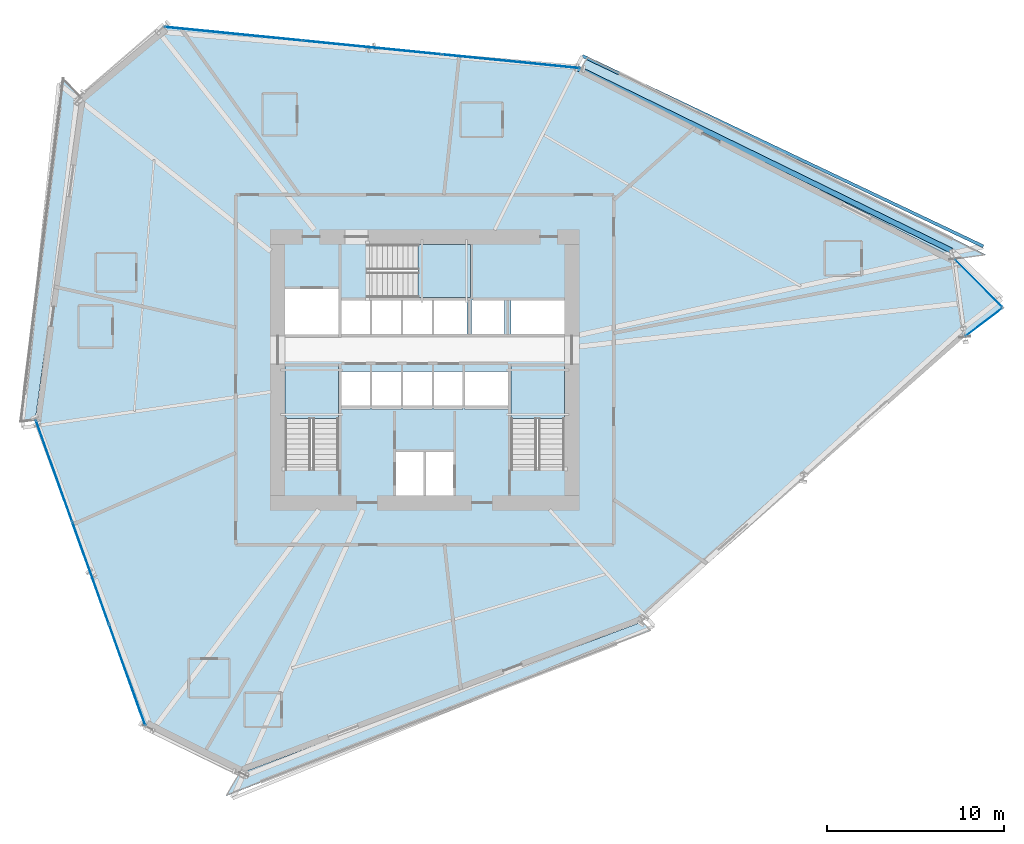
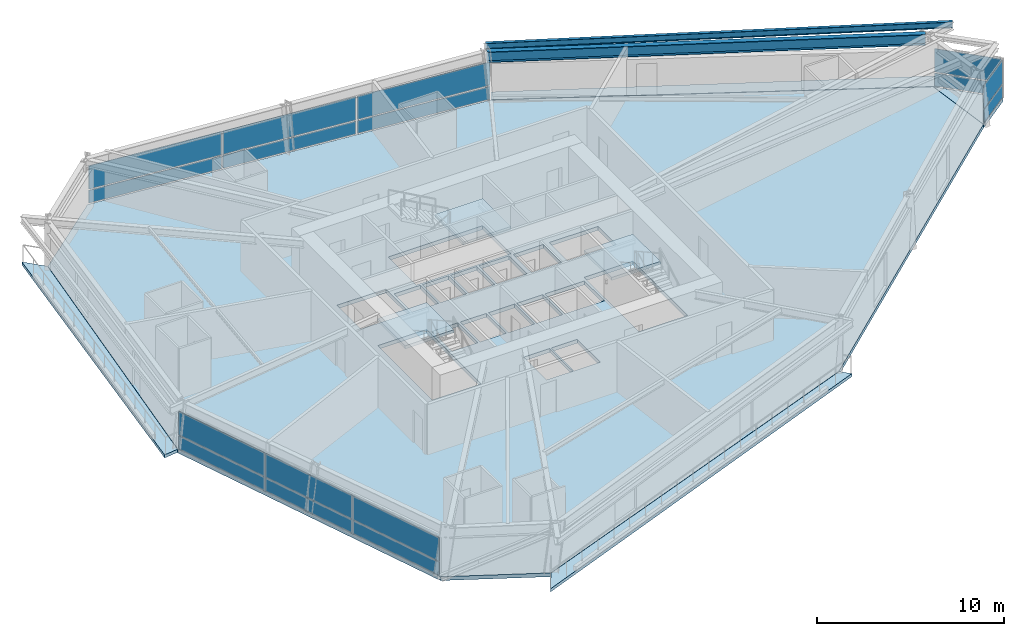
# One storey, part 13 of 24: 16 plates, 8 slabs, 2 beams, 7 elements without a shape of their own.
"""IFC4 building model written with IfcOpenShell, lengths in metres."""

import ifcopenshell
import ifcopenshell.guid

model = None  # the IFC model being written
_history = None  # IfcOwnerHistory: only IFC2X3 demands one
_inside = {}  # id of a spatial element -> (the spatial element, [elements in it])
_under = {}  # id of a project, library or spatial element -> (it, [spatial elements below it])
_declared = {}  # id of a project -> (the project, [libraries it declares])
_typed = {}  # id of a type object -> (the type object, [elements of that type])
_made_of = {}  # id of a material, layer set ... -> (it, [elements and type objects made of it])


def new_model(schema):
    """Start an empty IFC model of exactly this schema.

    Asked for "IFC4X3", IfcOpenShell would pick the latest addendum, in which some entities
    have other attributes; the version numbers below select the first issue.
    IFC2X3 requires an IfcOwnerHistory on every rooted entity: one is made here for all.
    """
    global model, _history
    if schema == "IFC4X3":
        model = ifcopenshell.file(schema_version=(4, 3, 0, 0))
    else:
        model = ifcopenshell.file(schema=schema)
    _inside.clear()
    _under.clear()
    _declared.clear()
    _typed.clear()
    _made_of.clear()
    _history = None
    if model.schema == "IFC2X3":
        org = make("IfcOrganization", Name="unknown")
        user = make(
            "IfcPersonAndOrganization",
            ThePerson=make("IfcPerson", FamilyName="unknown"),
            TheOrganization=org,
        )
        app = make(
            "IfcApplication",
            ApplicationDeveloper=org,
            Version="unknown",
            ApplicationFullName="unknown",
            ApplicationIdentifier="unknown",
        )
        _history = make(
            "IfcOwnerHistory",
            OwningUser=user,
            OwningApplication=app,
            ChangeAction="ADDED",
            CreationDate=0,
        )
    return model


def make(cls, **values):
    """One entity of the class cls with the attributes given. An attribute that is None is left unset."""
    return model.create_entity(
        cls, **{name: value for name, value in values.items() if value is not None}
    )


def rooted(cls, **values):
    """An entity with a GlobalId (a new one), such as an element, a storey or a relation."""
    return make(cls, GlobalId=ifcopenshell.guid.new(), OwnerHistory=_history, **values)


def si_unit(unit_type, name, prefix=None):
    """IfcSIUnit, for example si_unit("LENGTHUNIT", "METRE", prefix="MILLI")."""
    return make("IfcSIUnit", UnitType=unit_type, Prefix=prefix, Name=name)


def assignment(units):
    """IfcUnitAssignment: the units of a project."""
    return None if units is None else make("IfcUnitAssignment", Units=units)


def point(xyz):
    """IfcCartesianPoint."""
    return None if xyz is None else make("IfcCartesianPoint", Coordinates=xyz)


def direction(xyz):
    """IfcDirection."""
    return None if xyz is None else make("IfcDirection", DirectionRatios=xyz)


def frame(location, z_axis=None, x_axis=None):
    """IfcAxis2Placement3D, a coordinate frame: its origin and axes. An axis left out is left unset."""
    return make(
        "IfcAxis2Placement3D",
        Location=point(location),
        Axis=direction(z_axis),
        RefDirection=direction(x_axis),
    )


def frame_2d(location, x_axis=None):
    """IfcAxis2Placement2D, a coordinate frame in the plane: its origin and x axis."""
    return make(
        "IfcAxis2Placement2D", Location=point(location), RefDirection=direction(x_axis)
    )


def origin():
    """The frame at (0, 0, 0) with its axes left unset."""
    return frame((0.0, 0.0, 0.0))


def origin_2d():
    """The frame at (0, 0) in the plane with its x axis left unset."""
    return frame_2d((0.0, 0.0))


def place(relative_to, where):
    """IfcLocalPlacement: puts the frame where relative to a parent placement (None: the world)."""
    return make(
        "IfcLocalPlacement", PlacementRelTo=relative_to, RelativePlacement=where
    )


def context(
    kind, dimensions, precision=None, world=None, true_north=None, identifier=None
):
    """IfcGeometricRepresentationContext, for example the 3D "Model" context."""
    return make(
        "IfcGeometricRepresentationContext",
        ContextIdentifier=identifier,
        ContextType=kind,
        CoordinateSpaceDimension=dimensions,
        Precision=precision,
        WorldCoordinateSystem=world,
        TrueNorth=true_north,
    )


def subcontext(parent, identifier, kind, view, scale=None):
    """IfcGeometricRepresentationSubContext, for example "Body" below "Model"."""
    return make(
        "IfcGeometricRepresentationSubContext",
        ContextIdentifier=identifier,
        ContextType=kind,
        ParentContext=parent,
        TargetScale=scale,
        TargetView=view,
    )


def project(units=None, contexts=None):
    """IfcProject with its units and contexts."""
    return rooted(
        "IfcProject",
        Name="project",
        RepresentationContexts=contexts,
        UnitsInContext=assignment(units),
    )


def spatial(cls, under=None, at=None, **own):
    """A site, building, storey or space (cls), placed at a placement, below another one or the project."""
    s = rooted(cls, ObjectPlacement=at, **own)
    if under is not None:
        _under.setdefault(under.id(), (under, []))[1].append(s)
    return s


def polyline(points):
    """IfcPolyline through the points."""
    return make("IfcPolyline", Points=[point(p) for p in points])


def profile(cls, at=None, kind="AREA", **sizes):
    """A parametric profile (cls). Its sizes go by their IFC names, for example OverallWidth=200.0."""
    return make(cls, ProfileType=kind, Position=at, **sizes)


def rectangle(**sizes):
    """IfcRectangleProfileDef."""
    return profile("IfcRectangleProfileDef", **sizes)


def i_section(**sizes):
    """IfcIShapeProfileDef."""
    return profile("IfcIShapeProfileDef", **sizes)


def outline(outer, holes=None, kind="AREA"):
    """IfcArbitraryClosedProfileDef: a profile drawn as a closed curve; with holes, ...WithVoids."""
    if holes is None:
        return make("IfcArbitraryClosedProfileDef", ProfileType=kind, OuterCurve=outer)
    return make(
        "IfcArbitraryProfileDefWithVoids",
        ProfileType=kind,
        OuterCurve=outer,
        InnerCurves=holes,
    )


def extrude(swept, where, along, depth):
    """IfcExtrudedAreaSolid: the profile swept, set in the frame where, extruded along a direction by depth."""
    return make(
        "IfcExtrudedAreaSolid",
        SweptArea=swept,
        Position=where,
        ExtrudedDirection=direction(along),
        Depth=depth,
    )


def shape(context_of_items, identifier, shape_type, items):
    """IfcShapeRepresentation: the items that make up one representation, for example the "Body"."""
    return make(
        "IfcShapeRepresentation",
        ContextOfItems=context_of_items,
        RepresentationIdentifier=identifier,
        RepresentationType=shape_type,
        Items=items,
    )


def source(mapping_origin, context_of_items, identifier, shape_type, items):
    """IfcRepresentationMap: a shape defined once, which mapped items show again and again."""
    return make(
        "IfcRepresentationMap",
        MappingOrigin=mapping_origin,
        MappedRepresentation=shape(context_of_items, identifier, shape_type, items),
    )


def transform(
    local_origin,
    x_axis=None,
    y_axis=None,
    z_axis=None,
    scale=None,
    scale2=None,
    scale3=None,
    uniform=True,
):
    """IfcCartesianTransformationOperator3D, or its non-uniform kind. x_axis, y_axis, z_axis: its Axis1, 2, 3."""
    if uniform:
        return make(
            "IfcCartesianTransformationOperator3D",
            Axis1=direction(x_axis),
            Axis2=direction(y_axis),
            LocalOrigin=point(local_origin),
            Scale=scale,
            Axis3=direction(z_axis),
        )
    return make(
        "IfcCartesianTransformationOperator3DnonUniform",
        Axis1=direction(x_axis),
        Axis2=direction(y_axis),
        LocalOrigin=point(local_origin),
        Scale=scale,
        Axis3=direction(z_axis),
        Scale2=scale2,
        Scale3=scale3,
    )


def mapped(mapping_source, mapping_target):
    """IfcMappedItem: shows the shape of a source again, moved by a transform."""
    return make(
        "IfcMappedItem", MappingSource=mapping_source, MappingTarget=mapping_target
    )


def material(Name=None, Category=None):
    """IfcMaterial."""
    return make("IfcMaterial", Name=Name, Category=Category)


def layer(
    of_material, thickness, ventilated=None, Name=None, Category=None, Priority=None
):
    """IfcMaterialLayer: one layer of a wall or slab, of a material (None: an air gap)."""
    return make(
        "IfcMaterialLayer",
        Material=of_material,
        LayerThickness=thickness,
        IsVentilated=ventilated,
        Name=Name,
        Category=Category,
        Priority=Priority,
    )


def layer_set(layers, Name=None):
    """IfcMaterialLayerSet."""
    return make("IfcMaterialLayerSet", MaterialLayers=layers, LayerSetName=Name)


def material_profile(
    of_material, cross_section, Name=None, Category=None, Priority=None
):
    """IfcMaterialProfile: a cross section and its material."""
    return make(
        "IfcMaterialProfile",
        Name=Name,
        Material=of_material,
        Profile=cross_section,
        Priority=Priority,
        Category=Category,
    )


def profile_set(profiles, Name=None, composite=None):
    """IfcMaterialProfileSet."""
    return make(
        "IfcMaterialProfileSet",
        Name=Name,
        MaterialProfiles=profiles,
        CompositeProfile=composite,
    )


def made_of(thing, what):
    """Note that an element or type object is made of a material, layer set ...; save() writes the relation."""
    if what is not None:
        _made_of.setdefault(what.id(), (what, []))[1].append(thing)
    return thing


def type_object(cls, material=None, **own):
    """A type object (cls), such as IfcWallType, which elements share."""
    return made_of(rooted(cls, **own), material)


def element(
    cls,
    number,
    at=None,
    inside=None,
    cuts=None,
    type_object=None,
    material=None,
    context=None,
    identifier="Body",
    shape_type=None,
    held_by="IfcProductDefinitionShape",
    body=None,
    shapes=None,
    **own,
):
    """One element of the class cls, such as IfcWall. Its Tag is "e" and its number.

    at: its placement. inside: the storey or other place that contains it. cuts: it is an
    opening in that element (IfcRelVoidsElement). A single representation is given by context,
    identifier, shape_type and body (its items); several are given by shapes. held_by: the class
    of the entity that holds the representations. save() writes the other relations.
    """
    e = rooted(cls, Tag="e%d" % number, ObjectPlacement=at, **own)
    if body is not None:
        shapes = [shape(context, identifier, shape_type, body)]
    if shapes is not None:
        e.Representation = make(held_by, Representations=shapes)
    if inside is not None:
        _inside.setdefault(inside.id(), (inside, []))[1].append(e)
    if cuts is not None:
        rooted(
            "IfcRelVoidsElement", RelatingBuildingElement=cuts, RelatedOpeningElement=e
        )
    if type_object is not None:
        _typed.setdefault(type_object.id(), (type_object, []))[1].append(e)
    return made_of(e, material)


def aggregate(whole, parts):
    """IfcRelAggregates: a whole, such as a stair, and the parts it consists of."""
    return rooted("IfcRelAggregates", RelatingObject=whole, RelatedObjects=parts)


def save(model, path):
    """Write the relations noted so far, then the file.

    IfcRelAggregates (storeys below a building ...), IfcRelContainedInSpatialStructure (elements
    in a storey), IfcRelDefinesByType, IfcRelAssociatesMaterial and IfcRelDeclares: one each for
    every whole, place, type object, material and project.
    """
    for whole, parts in _under.values():
        aggregate(whole, parts)
    for where, things in _inside.values():
        rooted(
            "IfcRelContainedInSpatialStructure",
            RelatedElements=things,
            RelatingStructure=where,
        )
    for kind, things in _typed.values():
        rooted("IfcRelDefinesByType", RelatedObjects=things, RelatingType=kind)
    for what, things in _made_of.values():
        rooted("IfcRelAssociatesMaterial", RelatedObjects=things, RelatingMaterial=what)
    for by, libraries in _declared.values():
        rooted("IfcRelDeclares", RelatingContext=by, RelatedDefinitions=libraries)
    model.write(path)


model = new_model("IFC4")

# Units and contexts
model_context = context("Model", 3, precision=1e-05, world=origin(), true_north=direction((0.0, 1.0)))
body_context = subcontext(model_context, "Body", "Model", "MODEL_VIEW")
ifc_project = project(units=[si_unit("LENGTHUNIT", "METRE"), si_unit("AREAUNIT", "SQUARE_METRE"), si_unit("VOLUMEUNIT", "CUBIC_METRE"), si_unit("PLANEANGLEUNIT", "RADIAN"), si_unit("MASSUNIT", "GRAM", prefix="KILO")], contexts=[model_context])

# Site, building, storey
site_placement = place(None, origin())
site = spatial("IfcSite", under=ifc_project, at=site_placement, CompositionType="ELEMENT")
building_placement = place(site_placement, origin())
building = spatial("IfcBuilding", under=site, at=building_placement, Name="Olszyna Solenne Hotel", CompositionType="ELEMENT")
storey_placement = place(building_placement, frame((0.0, 0.0, 64.800048828125)))
storey = spatial("IfcBuildingStorey", under=building, at=storey_placement, Name="L16", CompositionType="ELEMENT", Elevation=64.800048828125)

# Beams
ifc_material_1 = material(Name="Steel S355J2", Category="steel")
ifc_material_profile_1 = material_profile(ifc_material_1, i_section(OverallWidth=0.300048828125, OverallDepth=0.699951171875, WebThickness=0.01708984375, FlangeThickness=0.031982421875, at=origin_2d()), Name="HEB 700", Category="load-bearing")
ifc_profile_set_1 = profile_set([ifc_material_profile_1], Name="Steel S355J2")
beam_type_1 = type_object("IfcBeamType", Name="BM-S1", PredefinedType="BEAM", material=ifc_profile_set_1)
shared_shape_1 = source(origin(), body_context, "Body", "SweptSolid", [
    extrude(i_section(OverallWidth=0.300048828125, OverallDepth=0.699951171875, WebThickness=0.01708984375, FlangeThickness=0.031982421875, at=origin_2d()), origin(), (0.0, 0.0, 1.0), 23.584228515625),
])
beam_1_placement = place(storey_placement, frame((67.792724609375, 33.347412109375, 2.949951171875), z_axis=(-0.898718496132, 0.43852601372, 0.0), x_axis=(-0.43852601372, -0.898718496132, 0.0)))
element("IfcBeam", 1, at=beam_1_placement, inside=storey, type_object=beam_type_1, Name="Perimeter spandrel beam BM-S1 B-L16-0496", PredefinedType="BEAM", context=body_context, shape_type="MappedRepresentation", body=[
    mapped(shared_shape_1, transform((0.0, 0.0, 0.0), x_axis=(1.0, 0.0, 0.0), y_axis=(0.0, 1.0, 0.0), z_axis=(0.0, 0.0, 1.0), scale=1.0)),
])
ifc_material_profile_2 = material_profile(ifc_material_1, i_section(OverallWidth=0.179931640625, OverallDepth=0.39990234375, WebThickness=0.008544921875, FlangeThickness=0.013427734375, at=origin_2d()), Name="IPE 400", Category="load-bearing")
ifc_profile_set_2 = profile_set([ifc_material_profile_2], Name="Steel S355J2")
beam_type_2 = type_object("IfcBeamType", Name="BM-F5", PredefinedType="BEAM", material=ifc_profile_set_2)
shared_shape_2 = source(origin(), body_context, "Body", "SweptSolid", [
    extrude(i_section(OverallWidth=0.179931640625, OverallDepth=0.39990234375, WebThickness=0.008544921875, FlangeThickness=0.013427734375, at=origin_2d()), origin(), (0.0, 0.0, 1.0), 25.123779296875),
])
beam_2_placement = place(storey_placement, frame((69.60791015625, 33.585205078125, 3.099853515625), z_axis=(-0.903287390067, 0.429036001924, 0.0), x_axis=(-0.429036001924, -0.903287390067, 0.0)))
element("IfcBeam", 2, at=beam_2_placement, inside=storey, type_object=beam_type_2, Name="Loggia outer edge beam BM-F5 B-L16-0521", PredefinedType="BEAM", context=body_context, shape_type="MappedRepresentation", body=[
    mapped(shared_shape_2, transform((0.0, 0.0, 0.0), x_axis=(1.0, 0.0, 0.0), y_axis=(0.0, 1.0, 0.0), z_axis=(0.0, 0.0, 1.0), scale=1.0)),
])

# Stair, slab
ifc_material_2 = material(Name="Concrete C40/50", Category="concrete")
stair_type = type_object("IfcStairType", Name="STR-C1", PredefinedType="TWO_QUARTER_WINDING_STAIR", material=ifc_material_2)
stair_1_placement = place(storey_placement, origin())
stair_1 = element("IfcStair", 3, at=stair_1_placement, inside=storey, type_object=stair_type, Name="L16 ST1", PredefinedType="TWO_QUARTER_WINDING_STAIR")
ifc_layer_1 = layer(ifc_material_2, 0.18994140625, Name="Concrete C40/50")
ifc_layer_set_1 = layer_set([ifc_layer_1], Name="Concrete C40/50")
slab_type_1 = type_object("IfcSlabType", Name="SL-LN190", PredefinedType="LANDING", material=ifc_layer_set_1)
slab_1_placement = place(storey_placement, frame((0.0, 0.0, 1.574951171875)))
slab_1 = element("IfcSlab", 4, at=slab_1_placement, type_object=slab_type_1, Name="ST1 landing 1", PredefinedType="LANDING", context=body_context, shape_type="SweptSolid", body=[
    extrude(outline(polyline([(33.1201171875, 23.85009765625), (33.1201171875, 26.800048828125), (30.10009765625, 26.800048828125), (30.10009765625, 23.85009765625), (33.1201171875, 23.85009765625)])), origin(), (0.0, 0.0, 1.0), 0.199951171875),
])
aggregate(stair_1, [slab_1])

stair_2_placement = place(storey_placement, origin())
stair_2 = element("IfcStair", 5, at=stair_2_placement, inside=storey, type_object=stair_type, Name="L16 ST2", PredefinedType="TWO_QUARTER_WINDING_STAIR")
slab_2_placement = place(storey_placement, frame((0.0, 0.0, 1.574951171875)))
slab_2 = element("IfcSlab", 6, at=slab_2_placement, type_object=slab_type_1, Name="ST2 landing 1", PredefinedType="LANDING", context=body_context, shape_type="SweptSolid", body=[
    extrude(outline(polyline([(45.89990234375, 23.85009765625), (45.89990234375, 26.800048828125), (42.8798828125, 26.800048828125), (42.8798828125, 23.85009765625), (45.89990234375, 23.85009765625)])), origin(), (0.0, 0.0, 1.0), 0.199951171875),
])
aggregate(stair_2, [slab_2])

stair_3_placement = place(storey_placement, origin())
stair_3 = element("IfcStair", 7, at=stair_3_placement, inside=storey, type_object=stair_type, Name="L16 ST3", PredefinedType="TWO_QUARTER_WINDING_STAIR")
slab_3_placement = place(storey_placement, frame((0.0, 0.0, 1.574951171875)))
slab_3 = element("IfcSlab", 8, at=slab_3_placement, type_object=slab_type_1, Name="ST3 landing 1", PredefinedType="LANDING", context=body_context, shape_type="SweptSolid", body=[
    extrude(outline(polyline([(37.6298828125, 30.679931640625), (40.580078125, 30.679931640625), (40.580078125, 33.699951171875), (37.6298828125, 33.699951171875), (37.6298828125, 30.679931640625)])), origin(), (0.0, 0.0, 1.0), 0.199951171875),
])
aggregate(stair_3, [slab_3])

# Slabs
ifc_material_3 = material(Name="Precast concrete C45/55", Category="concrete")
ifc_layer_2 = layer(ifc_material_3, 0.199951171875, Name="Precast concrete C45/55")
ifc_layer_set_2 = layer_set([ifc_layer_2], Name="Precast concrete C45/55")
slab_type_2 = type_object("IfcSlabType", Name="SL-LOG200", PredefinedType="FLOOR", material=ifc_layer_set_2)
slab_4_placement = place(storey_placement, frame((0.0, 0.0, -0.199951171875)))
element("IfcSlab", 9, at=slab_4_placement, inside=storey, type_object=slab_type_2, Name="Exterior loggia balcony slab SL-L16-LG1", PredefinedType="FLOOR", context=body_context, shape_type="SweptSolid", body=[
    extrude(outline(polyline([(46.851806640625, 43.672607421875), (67.99658203125, 32.889892578125), (67.997802734375, 32.88916015625), (67.999267578125, 32.88818359375), (68.00048828125, 32.88720703125), (68.00830078125, 32.879150390625), (69.7548828125, 33.11279296875), (47.224609375, 44.302001953125), (46.851806640625, 43.672607421875)])), origin(), (0.0, 0.0, 1.0), 0.199951171875),
])
slab_5_placement = place(storey_placement, frame((0.0, 0.0, -0.199951171875)))
element("IfcSlab", 10, at=slab_5_placement, inside=storey, type_object=slab_type_2, Name="Exterior loggia balcony slab SL-L16-LG2", PredefinedType="FLOOR", context=body_context, shape_type="SweptSolid", body=[
    extrude(outline(polyline([(15.968017578125, 23.78125), (15.9677734375, 23.782470703125), (15.9677734375, 23.78369140625), (15.968017578125, 23.78515625), (18.481689453125, 42.0693359375), (18.48193359375, 42.07080078125), (18.482421875, 42.072021484375), (18.48291015625, 42.0732421875), (18.4833984375, 42.07470703125), (18.484130859375, 42.07568359375), (18.48486328125, 42.076904296875), (18.48583984375, 42.077880859375), (18.486083984375, 42.078125), (17.4921875, 43.11572265625), (15.10009765625, 23.6650390625), (15.968017578125, 23.78125)])), origin(), (0.0, 0.0, 1.0), 0.199951171875),
])
slab_6_placement = place(storey_placement, frame((0.0, 0.0, -0.199951171875)))
element("IfcSlab", 11, at=slab_6_placement, inside=storey, type_object=slab_type_2, Name="Exterior loggia balcony slab SL-L16-LG3", PredefinedType="FLOOR", context=body_context, shape_type="SweptSolid", body=[
    extrude(outline(polyline([(50.31591796875, 12.342529296875), (50.315185546875, 12.34228515625), (50.314208984375, 12.34130859375), (50.31298828125, 12.340576171875), (50.31201171875, 12.33984375), (50.310791015625, 12.33935546875), (27.523681640625, 3.751953125), (27.522216796875, 3.75146484375), (27.520751953125, 3.751220703125), (27.519287109375, 3.7509765625), (27.517578125, 3.7509765625), (27.51611328125, 3.751220703125), (27.5146484375, 3.75146484375), (27.51318359375, 3.751953125), (27.51171875, 3.75244140625), (27.5107421875, 3.7529296875), (26.75732421875, 2.481201171875), (50.8076171875, 11.8291015625), (50.31591796875, 12.342529296875)])), origin(), (0.0, 0.0, 1.0), 0.199951171875),
])
ifc_material_4 = material(Name="Concrete C50/60", Category="concrete")
ifc_layer_3 = layer(ifc_material_4, 0.25, Name="Concrete C50/60")
ifc_layer_set_3 = layer_set([ifc_layer_3], Name="Concrete C50/60")
slab_type_3 = type_object("IfcSlabType", Name="SL-TW250", PredefinedType="FLOOR", material=ifc_layer_set_3)
slab_7_placement = place(storey_placement, frame((0.0, 0.0, -0.25)))
element("IfcSlab", 12, at=slab_7_placement, inside=storey, type_object=slab_type_3, Name="Floor slab SL-TW250 SL-L16-01", PredefinedType="FLOOR", context=body_context, shape_type="SweptSolid", body=[
    extrude(outline(polyline([(68.557861328125, 28.47314453125), (67.98974609375, 32.876708984375), (46.843994140625, 43.65966796875), (23.22412109375, 46.00634765625), (18.49658203125, 42.0673828125), (15.98291015625, 23.783203125), (22.213623046875, 6.41064453125), (27.518310546875, 3.765869140625), (50.305419921875, 12.353515625), (68.557861328125, 28.47314453125)]), holes=[polyline([(30.10009765625, 20.949951171875), (33.1201171875, 20.949951171875), (33.1201171875, 26.800048828125), (30.10009765625, 26.800048828125), (30.10009765625, 20.949951171875)]), polyline([(42.8798828125, 20.949951171875), (45.89990234375, 20.949951171875), (45.89990234375, 26.800048828125), (42.8798828125, 26.800048828125), (42.8798828125, 20.949951171875)]), polyline([(34.72998046875, 30.679931640625), (40.580078125, 30.679931640625), (40.580078125, 33.699951171875), (34.72998046875, 33.699951171875), (34.72998046875, 30.679931640625)]), polyline([(36.340087890625, 19.5), (37.9599609375, 19.5), (37.9599609375, 21.9599609375), (36.340087890625, 21.9599609375), (36.340087890625, 19.5)]), polyline([(38.0400390625, 19.5), (39.659912109375, 19.5), (39.659912109375, 21.9599609375), (38.0400390625, 21.9599609375), (38.0400390625, 19.5)]), polyline([(30.10009765625, 28.60009765625), (33.1201171875, 28.60009765625), (33.1201171875, 31.159912109375), (30.10009765625, 31.159912109375), (30.10009765625, 28.60009765625)]), polyline([(33.280029296875, 24.360107421875), (34.89990234375, 24.360107421875), (34.89990234375, 26.5), (33.280029296875, 26.5), (33.280029296875, 24.360107421875)]), polyline([(35.030029296875, 24.360107421875), (36.64990234375, 24.360107421875), (36.64990234375, 26.5), (35.030029296875, 26.5), (35.030029296875, 24.360107421875)]), polyline([(36.780029296875, 24.360107421875), (38.39990234375, 24.360107421875), (38.39990234375, 26.5), (36.780029296875, 26.5), (36.780029296875, 24.360107421875)]), polyline([(38.530029296875, 24.360107421875), (40.14990234375, 24.360107421875), (40.14990234375, 26.5), (38.530029296875, 26.5), (38.530029296875, 24.360107421875)]), polyline([(40.280029296875, 24.360107421875), (42.719970703125, 24.360107421875), (42.719970703125, 26.5), (40.280029296875, 26.5), (40.280029296875, 24.360107421875)]), polyline([(33.280029296875, 28.60009765625), (34.89990234375, 28.60009765625), (34.89990234375, 30.550048828125), (33.280029296875, 30.550048828125), (33.280029296875, 28.60009765625)]), polyline([(35.030029296875, 28.60009765625), (36.64990234375, 28.60009765625), (36.64990234375, 30.550048828125), (35.030029296875, 30.550048828125), (35.030029296875, 28.60009765625)]), polyline([(36.780029296875, 28.60009765625), (38.39990234375, 28.60009765625), (38.39990234375, 30.550048828125), (36.780029296875, 30.550048828125), (36.780029296875, 28.60009765625)]), polyline([(38.530029296875, 28.60009765625), (40.389892578125, 28.60009765625), (40.389892578125, 30.550048828125), (38.530029296875, 30.550048828125), (38.530029296875, 28.60009765625)]), polyline([(40.659912109375, 28.60009765625), (42.52001953125, 28.60009765625), (42.52001953125, 30.550048828125), (40.659912109375, 30.550048828125), (40.659912109375, 28.60009765625)]), polyline([(42.8798828125, 28.60009765625), (45.89990234375, 28.60009765625), (45.89990234375, 30.550048828125), (42.8798828125, 30.550048828125), (42.8798828125, 28.60009765625)])]), origin(), (0.0, 0.0, 1.0), 0.25),
])
slab_8_placement = place(storey_placement, frame((0.0, 0.0, -0.25)))
element("IfcSlab", 13, at=slab_8_placement, inside=storey, type_object=slab_type_3, Name="Faceted glass-prism floor slab SL-L16-PR", PredefinedType="FLOOR", context=body_context, shape_type="SweptSolid", body=[
    extrude(outline(polyline([(68.001220703125, 32.864990234375), (68.56689453125, 28.480224609375), (70.715087890625, 30.11669921875), (68.001220703125, 32.864990234375)])), origin(), (0.0, 0.0, 1.0), 0.25),
])

# Curtain wall, plates
ifc_material_5 = material(Name="Anodised bronze aluminium", Category="aluminium")
curtain_wall_type_1 = type_object("IfcCurtainWallType", Name="CW-SYS-2", PredefinedType="NOTDEFINED", material=ifc_material_5)
curtain_wall_1_placement = place(storey_placement, origin())
curtain_wall_1 = element("IfcCurtainWall", 14, at=curtain_wall_1_placement, inside=storey, type_object=curtain_wall_type_1, Name="Unitised curtain wall CW-SYS-2 CW-L16-01", PredefinedType="NOTDEFINED")
ifc_material_6 = material(Name="Terracotta cladding", Category="masonry")
plate_type_1 = type_object("IfcPlateType", Name="PN-SP1", PredefinedType="CURTAIN_PANEL", material=ifc_material_6)
shared_shape_3 = source(origin(), body_context, "Body", "SweptSolid", [
    extrude(rectangle(XDim=6.03955078125, YDim=0.035888671875, at=origin_2d()), origin(), (0.0, 0.0, 1.0), 0.83740234375),
])
plate_1_placement = place(storey_placement, frame((17.027587890625, 20.8701171875, 0.074951171875), z_axis=(0.0, 0.0, 1.0), x_axis=(0.337601615042, -0.941289089239, 0.0)))
plate_1 = element("IfcPlate", 15, at=plate_1_placement, type_object=plate_type_1, Name="Curtain-wall panel PN-SP1 CP-L16-01-01", PredefinedType="CURTAIN_PANEL", context=body_context, shape_type="MappedRepresentation", body=[
    mapped(shared_shape_3, transform((0.0, 0.0, 0.0), x_axis=(1.0, 0.0, 0.0), y_axis=(0.0, 1.0, 0.0), z_axis=(0.0, 0.0, 1.0), scale=1.0)),
])
plate_2_placement = place(storey_placement, frame((21.168701171875, 9.32373046875, 0.074951171875), z_axis=(0.0, 0.0, 1.0), x_axis=(0.337601615042, -0.941289089239, 0.0)))
plate_2 = element("IfcPlate", 16, at=plate_2_placement, type_object=plate_type_1, Name="Curtain-wall panel PN-SP1 CP-L16-01-05", PredefinedType="CURTAIN_PANEL", context=body_context, shape_type="MappedRepresentation", body=[
    mapped(shared_shape_3, transform((0.0, 0.0, 0.0), x_axis=(1.0, 0.0, 0.0), y_axis=(0.0, 1.0, 0.0), z_axis=(0.0, 0.0, 1.0), scale=1.0)),
])
ifc_material_7 = material(Name="Low-E triple glazing", Category="glass")
plate_type_2 = type_object("IfcPlateType", Name="PN-GL1", PredefinedType="CURTAIN_PANEL", material=ifc_material_7)
shared_shape_4 = source(origin(), body_context, "Body", "SweptSolid", [
    extrude(rectangle(XDim=6.03955078125, YDim=0.035888671875, at=origin_2d()), origin(), (0.0, 0.0, 1.0), 1.529541015625),
])
plate_3_placement = place(storey_placement, frame((17.027587890625, 20.8701171875, 0.9873046875), z_axis=(0.0, 0.0, 1.0), x_axis=(0.337601615042, -0.941289089239, 0.0)))
plate_3 = element("IfcPlate", 17, at=plate_3_placement, type_object=plate_type_2, Name="Curtain-wall panel PN-GL1 CP-L16-01-02", PredefinedType="CURTAIN_PANEL", context=body_context, shape_type="MappedRepresentation", body=[
    mapped(shared_shape_4, transform((0.0, 0.0, 0.0), x_axis=(1.0, 0.0, 0.0), y_axis=(0.0, 1.0, 0.0), z_axis=(0.0, 0.0, 1.0), scale=1.0)),
])
plate_4_placement = place(storey_placement, frame((21.168701171875, 9.32373046875, 0.9873046875), z_axis=(0.0, 0.0, 1.0), x_axis=(0.337601615042, -0.941289089239, 0.0)))
plate_4 = element("IfcPlate", 18, at=plate_4_placement, type_object=plate_type_2, Name="Curtain-wall panel PN-GL1 CP-L16-01-06", PredefinedType="CURTAIN_PANEL", context=body_context, shape_type="MappedRepresentation", body=[
    mapped(shared_shape_4, transform((0.0, 0.0, 0.0), x_axis=(1.0, 0.0, 0.0), y_axis=(0.0, 1.0, 0.0), z_axis=(0.0, 0.0, 1.0), scale=1.0)),
])
shared_shape_5 = source(origin(), body_context, "Body", "SweptSolid", [
    extrude(rectangle(XDim=6.076904296875, YDim=0.035888671875, at=origin_2d()), origin(), (0.0, 0.0, 1.0), 0.83740234375),
])
plate_5_placement = place(storey_placement, frame((19.09814453125, 15.096923828125, 0.074951171875), z_axis=(0.0, 0.0, 1.0), x_axis=(0.337601615042, -0.941289089239, 0.0)))
plate_5 = element("IfcPlate", 19, at=plate_5_placement, type_object=plate_type_1, Name="Curtain-wall panel PN-SP1 CP-L16-01-03", PredefinedType="CURTAIN_PANEL", context=body_context, shape_type="MappedRepresentation", body=[
    mapped(shared_shape_5, transform((0.0, 0.0, 0.0), x_axis=(1.0, 0.0, 0.0), y_axis=(0.0, 1.0, 0.0), z_axis=(0.0, 0.0, 1.0), scale=1.0)),
])
shared_shape_6 = source(origin(), body_context, "Body", "SweptSolid", [
    extrude(rectangle(XDim=6.076904296875, YDim=0.035888671875, at=origin_2d()), origin(), (0.0, 0.0, 1.0), 1.529541015625),
])
plate_6_placement = place(storey_placement, frame((19.09814453125, 15.096923828125, 0.9873046875), z_axis=(0.0, 0.0, 1.0), x_axis=(0.337601615042, -0.941289089239, 0.0)))
plate_6 = element("IfcPlate", 20, at=plate_6_placement, type_object=plate_type_2, Name="Curtain-wall panel PN-GL1 CP-L16-01-04", PredefinedType="CURTAIN_PANEL", context=body_context, shape_type="MappedRepresentation", body=[
    mapped(shared_shape_6, transform((0.0, 0.0, 0.0), x_axis=(1.0, 0.0, 0.0), y_axis=(0.0, 1.0, 0.0), z_axis=(0.0, 0.0, 1.0), scale=1.0)),
])
aggregate(curtain_wall_1, [plate_1, plate_3, plate_5, plate_6, plate_2, plate_4])

curtain_wall_2_placement = place(storey_placement, origin())
curtain_wall_2 = element("IfcCurtainWall", 21, at=curtain_wall_2_placement, inside=storey, type_object=curtain_wall_type_1, Name="Unitised curtain wall CW-SYS-2 CW-L16-02", PredefinedType="NOTDEFINED")
shared_shape_7 = source(origin(), body_context, "Body", "SweptSolid", [
    extrude(rectangle(XDim=7.799560546875, YDim=0.035888671875, at=origin_2d()), origin(), (0.0, 0.0, 1.0), 0.83740234375),
])
plate_7_placement = place(storey_placement, frame((27.179443359375, 45.613525390625, 0.074951171875), z_axis=(0.0, 0.0, 1.0), x_axis=(0.995100846787, -0.098865083439, 0.0)))
plate_7 = element("IfcPlate", 22, at=plate_7_placement, type_object=plate_type_1, Name="Curtain-wall panel PN-SP1 CP-L16-02-01", PredefinedType="CURTAIN_PANEL", context=body_context, shape_type="MappedRepresentation", body=[
    mapped(shared_shape_7, transform((0.0, 0.0, 0.0), x_axis=(1.0, 0.0, 0.0), y_axis=(0.0, 1.0, 0.0), z_axis=(0.0, 0.0, 1.0), scale=1.0)),
])
plate_8_placement = place(storey_placement, frame((42.888671875, 44.052734375, 0.074951171875), z_axis=(0.0, 0.0, 1.0), x_axis=(0.995100846787, -0.098865083439, 0.0)))
plate_8 = element("IfcPlate", 23, at=plate_8_placement, type_object=plate_type_1, Name="Curtain-wall panel PN-SP1 CP-L16-02-05", PredefinedType="CURTAIN_PANEL", context=body_context, shape_type="MappedRepresentation", body=[
    mapped(shared_shape_7, transform((0.0, 0.0, 0.0), x_axis=(1.0, 0.0, 0.0), y_axis=(0.0, 1.0, 0.0), z_axis=(0.0, 0.0, 1.0), scale=1.0)),
])
shared_shape_8 = source(origin(), body_context, "Body", "SweptSolid", [
    extrude(rectangle(XDim=7.799560546875, YDim=0.035888671875, at=origin_2d()), origin(), (0.0, 0.0, 1.0), 1.529541015625),
])
plate_9_placement = place(storey_placement, frame((27.179443359375, 45.613525390625, 0.9873046875), z_axis=(0.0, 0.0, 1.0), x_axis=(0.995100846787, -0.098865083439, 0.0)))
plate_9 = element("IfcPlate", 24, at=plate_9_placement, type_object=plate_type_2, Name="Curtain-wall panel PN-GL1 CP-L16-02-02", PredefinedType="CURTAIN_PANEL", context=body_context, shape_type="MappedRepresentation", body=[
    mapped(shared_shape_8, transform((0.0, 0.0, 0.0), x_axis=(1.0, 0.0, 0.0), y_axis=(0.0, 1.0, 0.0), z_axis=(0.0, 0.0, 1.0), scale=1.0)),
])
plate_10_placement = place(storey_placement, frame((42.888671875, 44.052734375, 0.9873046875), z_axis=(0.0, 0.0, 1.0), x_axis=(0.995100846787, -0.098865083439, 0.0)))
plate_10 = element("IfcPlate", 25, at=plate_10_placement, type_object=plate_type_2, Name="Curtain-wall panel PN-GL1 CP-L16-02-06", PredefinedType="CURTAIN_PANEL", context=body_context, shape_type="MappedRepresentation", body=[
    mapped(shared_shape_8, transform((0.0, 0.0, 0.0), x_axis=(1.0, 0.0, 0.0), y_axis=(0.0, 1.0, 0.0), z_axis=(0.0, 0.0, 1.0), scale=1.0)),
])
shared_shape_9 = source(origin(), body_context, "Body", "SweptSolid", [
    extrude(rectangle(XDim=7.837158203125, YDim=0.035888671875, at=origin_2d()), origin(), (0.0, 0.0, 1.0), 0.83740234375),
])
plate_11_placement = place(storey_placement, frame((35.033935546875, 44.8330078125, 0.074951171875), z_axis=(0.0, 0.0, 1.0), x_axis=(0.995100846787, -0.098865083439, 0.0)))
plate_11 = element("IfcPlate", 26, at=plate_11_placement, type_object=plate_type_1, Name="Curtain-wall panel PN-SP1 CP-L16-02-03", PredefinedType="CURTAIN_PANEL", context=body_context, shape_type="MappedRepresentation", body=[
    mapped(shared_shape_9, transform((0.0, 0.0, 0.0), x_axis=(1.0, 0.0, 0.0), y_axis=(0.0, 1.0, 0.0), z_axis=(0.0, 0.0, 1.0), scale=1.0)),
])
shared_shape_10 = source(origin(), body_context, "Body", "SweptSolid", [
    extrude(rectangle(XDim=7.837158203125, YDim=0.035888671875, at=origin_2d()), origin(), (0.0, 0.0, 1.0), 1.529541015625),
])
plate_12_placement = place(storey_placement, frame((35.033935546875, 44.8330078125, 0.9873046875), z_axis=(0.0, 0.0, 1.0), x_axis=(0.995100846787, -0.098865083439, 0.0)))
plate_12 = element("IfcPlate", 27, at=plate_12_placement, type_object=plate_type_2, Name="Curtain-wall panel PN-GL1 CP-L16-02-04", PredefinedType="CURTAIN_PANEL", context=body_context, shape_type="MappedRepresentation", body=[
    mapped(shared_shape_10, transform((0.0, 0.0, 0.0), x_axis=(1.0, 0.0, 0.0), y_axis=(0.0, 1.0, 0.0), z_axis=(0.0, 0.0, 1.0), scale=1.0)),
])
aggregate(curtain_wall_2, [plate_7, plate_9, plate_11, plate_12, plate_8, plate_10])

curtain_wall_type_2 = type_object("IfcCurtainWallType", Name="CW-SYS-5", PredefinedType="NOTDEFINED", material=ifc_material_5)
curtain_wall_3_placement = place(storey_placement, origin())
curtain_wall_3 = element("IfcCurtainWall", 28, at=curtain_wall_3_placement, inside=storey, type_object=curtain_wall_type_2, Name="Unitised curtain wall CW-SYS-5 CW-L16-03", PredefinedType="NOTDEFINED")
plate_type_3 = type_object("IfcPlateType", Name="PN-PR1", PredefinedType="CURTAIN_PANEL", material=ifc_material_7)
shared_shape_11 = source(origin(), body_context, "Body", "SweptSolid", [
    extrude(rectangle(XDim=3.728759765625, YDim=0.028076171875, at=origin_2d()), origin(), (0.0, 0.0, 1.0), 0.83740234375),
])
plate_13_placement = place(storey_placement, frame((69.3525390625, 31.49658203125, 0.074951171875), z_axis=(0.0, 0.0, 1.0), x_axis=(0.702658561472, -0.711527192727, 0.0)))
plate_13 = element("IfcPlate", 29, at=plate_13_placement, type_object=plate_type_3, Name="Curtain-wall panel PN-PR1 CP-L16-03-01", PredefinedType="CURTAIN_PANEL", context=body_context, shape_type="MappedRepresentation", body=[
    mapped(shared_shape_11, transform((0.0, 0.0, 0.0), x_axis=(1.0, 0.0, 0.0), y_axis=(0.0, 1.0, 0.0), z_axis=(0.0, 0.0, 1.0), scale=1.0)),
])
shared_shape_12 = source(origin(), body_context, "Body", "SweptSolid", [
    extrude(rectangle(XDim=3.728759765625, YDim=0.028076171875, at=origin_2d()), origin(), (0.0, 0.0, 1.0), 1.529541015625),
])
plate_14_placement = place(storey_placement, frame((69.3525390625, 31.49658203125, 0.9873046875), z_axis=(0.0, 0.0, 1.0), x_axis=(0.702658561472, -0.711527192727, 0.0)))
plate_14 = element("IfcPlate", 30, at=plate_14_placement, type_object=plate_type_3, Name="Curtain-wall panel PN-PR1 CP-L16-03-02", PredefinedType="CURTAIN_PANEL", context=body_context, shape_type="MappedRepresentation", body=[
    mapped(shared_shape_12, transform((0.0, 0.0, 0.0), x_axis=(1.0, 0.0, 0.0), y_axis=(0.0, 1.0, 0.0), z_axis=(0.0, 0.0, 1.0), scale=1.0)),
])
aggregate(curtain_wall_3, [plate_13, plate_14])

curtain_wall_4_placement = place(storey_placement, origin())
curtain_wall_4 = element("IfcCurtainWall", 31, at=curtain_wall_4_placement, inside=storey, type_object=curtain_wall_type_2, Name="Unitised curtain wall CW-SYS-5 CW-L16-04", PredefinedType="NOTDEFINED")
shared_shape_13 = source(origin(), body_context, "Body", "SweptSolid", [
    extrude(rectangle(XDim=2.56201171875, YDim=0.028076171875, at=origin_2d()), origin(), (0.0, 0.0, 1.0), 0.83740234375),
])
plate_15_placement = place(storey_placement, frame((69.636474609375, 29.294921875, 0.074951171875), z_axis=(0.0, 0.0, 1.0), x_axis=(0.795473192381, 0.605988778942, 0.0)))
plate_15 = element("IfcPlate", 32, at=plate_15_placement, type_object=plate_type_3, Name="Curtain-wall panel PN-PR1 CP-L16-04-01", PredefinedType="CURTAIN_PANEL", context=body_context, shape_type="MappedRepresentation", body=[
    mapped(shared_shape_13, transform((0.0, 0.0, 0.0), x_axis=(1.0, 0.0, 0.0), y_axis=(0.0, 1.0, 0.0), z_axis=(0.0, 0.0, 1.0), scale=1.0)),
])
shared_shape_14 = source(origin(), body_context, "Body", "SweptSolid", [
    extrude(rectangle(XDim=2.56201171875, YDim=0.028076171875, at=origin_2d()), origin(), (0.0, 0.0, 1.0), 1.529541015625),
])
plate_16_placement = place(storey_placement, frame((69.636474609375, 29.294921875, 0.9873046875), z_axis=(0.0, 0.0, 1.0), x_axis=(0.795473192381, 0.605988778942, 0.0)))
plate_16 = element("IfcPlate", 33, at=plate_16_placement, type_object=plate_type_3, Name="Curtain-wall panel PN-PR1 CP-L16-04-02", PredefinedType="CURTAIN_PANEL", context=body_context, shape_type="MappedRepresentation", body=[
    mapped(shared_shape_14, transform((0.0, 0.0, 0.0), x_axis=(1.0, 0.0, 0.0), y_axis=(0.0, 1.0, 0.0), z_axis=(0.0, 0.0, 1.0), scale=1.0)),
])
aggregate(curtain_wall_4, [plate_15, plate_16])

save(model, "model.ifc")
